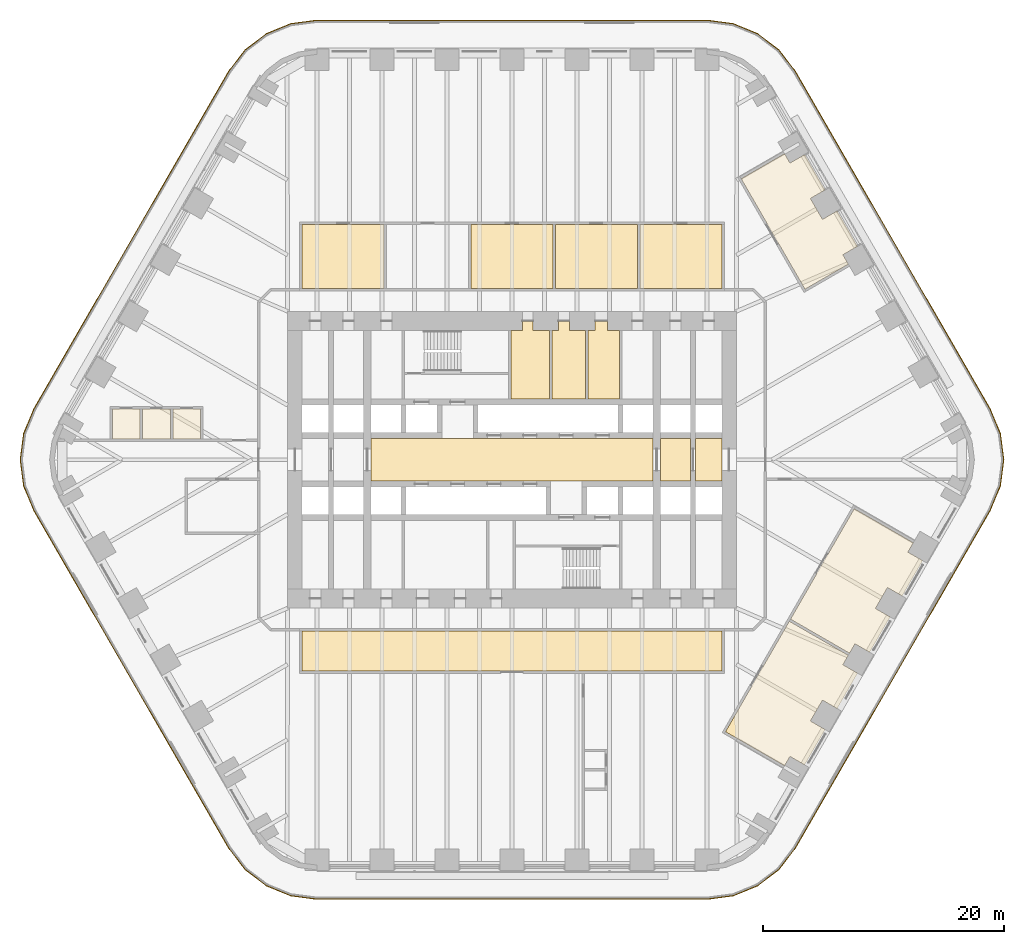
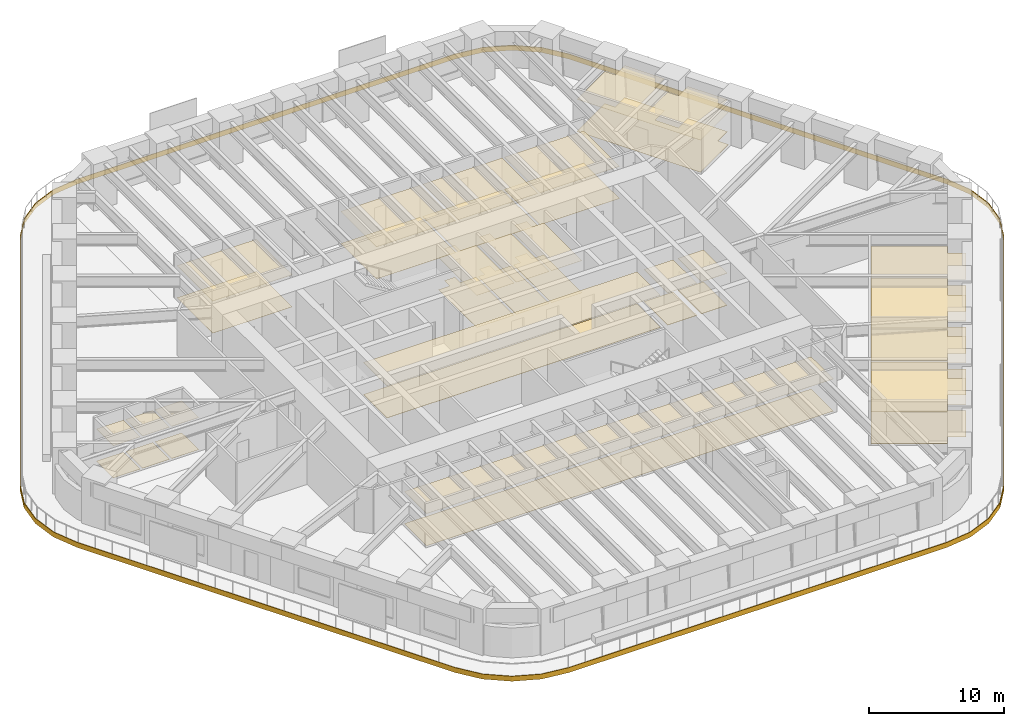
# One storey, part 22 of 23: 15 coverings.
"""IFC4 building model written with IfcOpenShell, lengths in metres."""

from ifc_helpers import new_model, si_unit, direction, frame, origin, place, context, subcontext, project, spatial, polyline, outline, extrude, material, layer, layer_set, type_object, element, save


model = new_model("IFC4")

# Units and contexts
model_context = context("Model", 3, precision=1e-05, world=origin(), true_north=direction((0.0, 1.0)))
body_context = subcontext(model_context, "Body", "Model", "MODEL_VIEW")
ifc_project = project(units=[si_unit("LENGTHUNIT", "METRE"), si_unit("AREAUNIT", "SQUARE_METRE"), si_unit("VOLUMEUNIT", "CUBIC_METRE"), si_unit("PLANEANGLEUNIT", "RADIAN"), si_unit("MASSUNIT", "GRAM", prefix="KILO")], contexts=[model_context])

# Site, building, storey
site_placement = place(None, origin())
site = spatial("IfcSite", under=ifc_project, at=site_placement, CompositionType="ELEMENT")
building_placement = place(site_placement, origin())
building = spatial("IfcBuilding", under=site, at=building_placement, Name="Tarfa Lantern Tower", CompositionType="ELEMENT")
storey_placement = place(building_placement, frame((0.0, 0.0, 52.89990234375)))
storey = spatial("IfcBuildingStorey", under=building, at=storey_placement, Name="L11", CompositionType="ELEMENT", Elevation=52.89990234375)

# Coverings
ifc_material_1 = material(Name="Mineral fibre acoustic tile on suspension grid", Category="finish")
ifc_layer_1 = layer(ifc_material_1, 0.02001953125)
ifc_layer_set_1 = layer_set([ifc_layer_1], Name="CL1 ACOUSTIC TILE CEILING 20")
covering_type_1 = type_object("IfcCoveringType", Name="CL1 ACOUSTIC TILE CEILING 20", PredefinedType="CEILING", material=ifc_layer_set_1)
covering_1_placement = place(storey_placement, frame((0.0, 0.0, 2.900146484375)))
element("IfcCovering", 1, at=covering_1_placement, inside=storey, type_object=covering_type_1, Name="Ceiling L11 CL1", PredefinedType="CEILING", context=body_context, shape_type="SweptSolid", body=[
    extrude(outline(polyline([(-17.39990234375, 19.5), (-10.60009765625, 19.5), (-10.60009765625, 14.199951171875), (-17.39990234375, 14.199951171875), (-17.39990234375, 19.5)])), origin(), (0.0, 0.0, 1.0), 0.02001953125),
    extrude(outline(polyline([(-3.39990234375, 19.5), (3.39990234375, 19.5), (3.39990234375, 14.199951171875), (-3.39990234375, 14.199951171875), (-3.39990234375, 19.5)])), origin(), (0.0, 0.0, 1.0), 0.02001953125),
    extrude(outline(polyline([(3.60009765625, 19.5), (10.39990234375, 19.5), (10.39990234375, 14.199951171875), (3.60009765625, 14.199951171875), (3.60009765625, 19.5)])), origin(), (0.0, 0.0, 1.0), 0.02001953125),
    extrude(outline(polyline([(10.60009765625, 19.5), (17.39990234375, 19.5), (17.39990234375, 14.199951171875), (10.60009765625, 14.199951171875), (10.60009765625, 19.5)])), origin(), (0.0, 0.0, 1.0), 0.02001953125),
    extrude(outline(polyline([(18.996826171875, 23.296630859375), (22.5908203125, 25.371826171875), (23.040771484375, 24.59228515625), (24.253173828125, 25.292236328125), (25.947509765625, 22.357666015625), (24.735107421875, 21.65771484375), (25.735107421875, 19.925537109375), (26.947509765625, 20.625732421875), (28.641845703125, 17.69091796875), (27.42919921875, 16.990966796875), (27.87939453125, 16.211669921875), (24.285400390625, 14.13671875), (18.996826171875, 23.296630859375)])), origin(), (0.0, 0.0, 1.0), 0.02001953125),
    extrude(outline(polyline([(22.986328125, -13.38671875), (27.87939453125, -16.211669921875), (27.42919921875, -16.990966796875), (28.641845703125, -17.69091796875), (26.947509765625, -20.625732421875), (25.735107421875, -19.925537109375), (24.735107421875, -21.65771484375), (25.947509765625, -22.357666015625), (24.253173828125, -25.292236328125), (23.040771484375, -24.59228515625), (22.5908203125, -25.371826171875), (17.69775390625, -22.546630859375), (22.986328125, -13.38671875)])), origin(), (0.0, 0.0, 1.0), 0.02001953125),
    extrude(outline(polyline([(28.375, -4.05322265625), (33.267822265625, -6.878173828125), (32.81787109375, -7.65771484375), (34.0302734375, -8.357666015625), (32.3359375, -11.292236328125), (31.12353515625, -10.59228515625), (30.12353515625, -12.324462890625), (31.3359375, -13.0244140625), (29.641845703125, -15.958984375), (28.42919921875, -15.259033203125), (27.979248046875, -16.038330078125), (23.086181640625, -13.21337890625), (28.375, -4.05322265625)])), origin(), (0.0, 0.0, 1.0), 0.02001953125),
    extrude(outline(polyline([(-28.118408203125, 4.199951171875), (-25.818359375, 4.199951171875), (-25.818359375, 1.699951171875), (-28.118408203125, 1.699951171875), (-28.118408203125, 4.199951171875)])), origin(), (0.0, 0.0, 1.0), 0.02001953125),
    extrude(outline(polyline([(-30.618408203125, 4.199951171875), (-28.318359375, 4.199951171875), (-28.318359375, 1.699951171875), (-30.618408203125, 1.699951171875), (-30.618408203125, 4.199951171875)])), origin(), (0.0, 0.0, 1.0), 0.02001953125),
    extrude(outline(polyline([(-33.118408203125, 4.199951171875), (-30.818359375, 4.199951171875), (-30.818359375, 1.699951171875), (-33.118408203125, 1.699951171875), (-33.118408203125, 4.199951171875)])), origin(), (0.0, 0.0, 1.0), 0.02001953125),
    extrude(outline(polyline([(-17.39990234375, -14.199951171875), (17.39990234375, -14.199951171875), (17.39990234375, -17.5), (-17.39990234375, -17.5), (-17.39990234375, -14.199951171875)])), origin(), (0.0, 0.0, 1.0), 0.02001953125),
])
ifc_material_2 = material(Name="Moisture-resistant plasterboard", Category="finish")
ifc_layer_2 = layer(ifc_material_2, 0.014892578125)
ifc_layer_set_2 = layer_set([ifc_layer_2], Name="CL2 MOISTURE-RESISTANT PLASTERBOARD CEILING 15")
covering_type_2 = type_object("IfcCoveringType", Name="CL2 MOISTURE-RESISTANT PLASTERBOARD CEILING 15", PredefinedType="CEILING", material=ifc_layer_set_2)
covering_2_placement = place(storey_placement, frame((0.0, 0.0, 2.900146484375)))
element("IfcCovering", 2, at=covering_2_placement, inside=storey, type_object=covering_type_2, Name="Ceiling L11-09", PredefinedType="CEILING", context=body_context, shape_type="SweptSolid", body=[
    extrude(outline(polyline([(0.85009765625, 10.699951171875), (-0.10009765625, 10.699951171875), (-0.10009765625, 5.050048828125), (3.10009765625, 5.050048828125), (3.10009765625, 10.699951171875), (1.75, 10.699951171875), (1.75, 11.5), (0.85009765625, 11.5), (0.85009765625, 10.699951171875)])), origin(), (0.0, 0.0, 1.0), 0.014892578125),
])
covering_3_placement = place(storey_placement, frame((0.0, 0.0, 2.900146484375)))
element("IfcCovering", 3, at=covering_3_placement, inside=storey, type_object=covering_type_2, Name="Ceiling L11-10", PredefinedType="CEILING", context=body_context, shape_type="SweptSolid", body=[
    extrude(outline(polyline([(3.300048828125, 5.050048828125), (6.10009765625, 5.050048828125), (6.10009765625, 10.699951171875), (4.75, 10.699951171875), (4.75, 11.5), (3.85009765625, 11.5), (3.85009765625, 10.699951171875), (3.300048828125, 10.699951171875), (3.300048828125, 5.050048828125)])), origin(), (0.0, 0.0, 1.0), 0.014892578125),
])
covering_4_placement = place(storey_placement, frame((0.0, 0.0, 2.900146484375)))
element("IfcCovering", 4, at=covering_4_placement, inside=storey, type_object=covering_type_2, Name="Ceiling L11-11", PredefinedType="CEILING", context=body_context, shape_type="SweptSolid", body=[
    extrude(outline(polyline([(6.300048828125, 5.050048828125), (8.89990234375, 5.050048828125), (8.89990234375, 10.699951171875), (7.89990234375, 10.699951171875), (7.89990234375, 11.5), (6.89990234375, 11.5), (6.89990234375, 10.699951171875), (6.300048828125, 10.699951171875), (6.300048828125, 5.050048828125)])), origin(), (0.0, 0.0, 1.0), 0.014892578125),
])
ifc_material_3 = material(Name="Powder-coated aluminium panel", Category="aluminium")
ifc_layer_3 = layer(ifc_material_3, 0.030029296875)
ifc_layer_set_3 = layer_set([ifc_layer_3], Name="CL3 METAL PANEL CEILING 30")
covering_type_3 = type_object("IfcCoveringType", Name="CL3 METAL PANEL CEILING 30", PredefinedType="CEILING", material=ifc_layer_set_3)
covering_5_placement = place(storey_placement, frame((0.0, 0.0, 2.900146484375)))
element("IfcCovering", 5, at=covering_5_placement, inside=storey, type_object=covering_type_3, Name="Ceiling L11-03", PredefinedType="CEILING", context=body_context, shape_type="SweptSolid", body=[
    extrude(outline(polyline([(-11.699951171875, -1.75), (11.699951171875, -1.75), (11.699951171875, 1.75), (-11.699951171875, 1.75), (-11.699951171875, -1.75)])), origin(), (0.0, 0.0, 1.0), 0.030029296875),
])
covering_6_placement = place(storey_placement, frame((0.0, 0.0, 2.900146484375)))
element("IfcCovering", 6, at=covering_6_placement, inside=storey, type_object=covering_type_3, Name="Ceiling L11-04", PredefinedType="CEILING", context=body_context, shape_type="SweptSolid", body=[
    extrude(outline(polyline([(12.300048828125, -1.75), (14.800048828125, -1.75), (14.800048828125, 1.75), (12.300048828125, 1.75), (12.300048828125, -1.75)])), origin(), (0.0, 0.0, 1.0), 0.030029296875),
])
covering_7_placement = place(storey_placement, frame((0.0, 0.0, 2.900146484375)))
element("IfcCovering", 7, at=covering_7_placement, inside=storey, type_object=covering_type_3, Name="Ceiling L11-05", PredefinedType="CEILING", context=body_context, shape_type="SweptSolid", body=[
    extrude(outline(polyline([(15.199951171875, -1.75), (17.39990234375, -1.75), (17.39990234375, 1.75), (15.199951171875, 1.75), (15.199951171875, -1.75)])), origin(), (0.0, 0.0, 1.0), 0.030029296875),
])
ifc_material_4 = material(Name="Nylon carpet tile", Category="finish")
ifc_layer_4 = layer(ifc_material_4, 0.010009765625)
ifc_layer_set_4 = layer_set([ifc_layer_4], Name="FL1 CARPET TILE 10")
covering_type_4 = type_object("IfcCoveringType", Name="FL1 CARPET TILE 10", PredefinedType="FLOORING", material=ifc_layer_set_4)
covering_8_placement = place(storey_placement, origin())
element("IfcCovering", 8, at=covering_8_placement, inside=storey, type_object=covering_type_4, Name="Floor finish L11 FL1", PredefinedType="FLOORING", context=body_context, shape_type="SweptSolid", body=[
    extrude(outline(polyline([(-17.39990234375, 19.5), (-10.60009765625, 19.5), (-10.60009765625, 14.199951171875), (-17.39990234375, 14.199951171875), (-17.39990234375, 19.5)])), origin(), (0.0, 0.0, 1.0), 0.010009765625),
    extrude(outline(polyline([(-3.39990234375, 19.5), (3.39990234375, 19.5), (3.39990234375, 14.199951171875), (-3.39990234375, 14.199951171875), (-3.39990234375, 19.5)])), origin(), (0.0, 0.0, 1.0), 0.010009765625),
    extrude(outline(polyline([(3.60009765625, 19.5), (10.39990234375, 19.5), (10.39990234375, 14.199951171875), (3.60009765625, 14.199951171875), (3.60009765625, 19.5)])), origin(), (0.0, 0.0, 1.0), 0.010009765625),
    extrude(outline(polyline([(10.60009765625, 19.5), (17.39990234375, 19.5), (17.39990234375, 14.199951171875), (10.60009765625, 14.199951171875), (10.60009765625, 19.5)])), origin(), (0.0, 0.0, 1.0), 0.010009765625),
    extrude(outline(polyline([(18.996826171875, 23.296630859375), (22.5908203125, 25.371826171875), (23.040771484375, 24.59228515625), (24.253173828125, 25.292236328125), (25.947509765625, 22.357666015625), (24.735107421875, 21.65771484375), (25.735107421875, 19.925537109375), (26.947509765625, 20.625732421875), (28.641845703125, 17.69091796875), (27.42919921875, 16.990966796875), (27.87939453125, 16.211669921875), (24.285400390625, 14.13671875), (18.996826171875, 23.296630859375)])), origin(), (0.0, 0.0, 1.0), 0.010009765625),
    extrude(outline(polyline([(22.986328125, -13.38671875), (27.87939453125, -16.211669921875), (27.42919921875, -16.990966796875), (28.641845703125, -17.69091796875), (26.947509765625, -20.625732421875), (25.735107421875, -19.925537109375), (24.735107421875, -21.65771484375), (25.947509765625, -22.357666015625), (24.253173828125, -25.292236328125), (23.040771484375, -24.59228515625), (22.5908203125, -25.371826171875), (17.69775390625, -22.546630859375), (22.986328125, -13.38671875)])), origin(), (0.0, 0.0, 1.0), 0.010009765625),
    extrude(outline(polyline([(28.375, -4.05322265625), (33.267822265625, -6.878173828125), (32.81787109375, -7.65771484375), (34.0302734375, -8.357666015625), (32.3359375, -11.292236328125), (31.12353515625, -10.59228515625), (30.12353515625, -12.324462890625), (31.3359375, -13.0244140625), (29.641845703125, -15.958984375), (28.42919921875, -15.259033203125), (27.979248046875, -16.038330078125), (23.086181640625, -13.21337890625), (28.375, -4.05322265625)])), origin(), (0.0, 0.0, 1.0), 0.010009765625),
    extrude(outline(polyline([(-28.118408203125, 4.199951171875), (-25.818359375, 4.199951171875), (-25.818359375, 1.699951171875), (-28.118408203125, 1.699951171875), (-28.118408203125, 4.199951171875)])), origin(), (0.0, 0.0, 1.0), 0.010009765625),
    extrude(outline(polyline([(-30.618408203125, 4.199951171875), (-28.318359375, 4.199951171875), (-28.318359375, 1.699951171875), (-30.618408203125, 1.699951171875), (-30.618408203125, 4.199951171875)])), origin(), (0.0, 0.0, 1.0), 0.010009765625),
    extrude(outline(polyline([(-33.118408203125, 4.199951171875), (-30.818359375, 4.199951171875), (-30.818359375, 1.699951171875), (-33.118408203125, 1.699951171875), (-33.118408203125, 4.199951171875)])), origin(), (0.0, 0.0, 1.0), 0.010009765625),
    extrude(outline(polyline([(-17.39990234375, -14.199951171875), (17.39990234375, -14.199951171875), (17.39990234375, -17.5), (-17.39990234375, -17.5), (-17.39990234375, -14.199951171875)])), origin(), (0.0, 0.0, 1.0), 0.010009765625),
])
ifc_material_5 = material(Name="Honed limestone flooring", Category="masonry")
ifc_layer_5 = layer(ifc_material_5, 0.030029296875)
ifc_layer_set_5 = layer_set([ifc_layer_5], Name="FL2 STONE FLOORING 30")
covering_type_5 = type_object("IfcCoveringType", Name="FL2 STONE FLOORING 30", PredefinedType="FLOORING", material=ifc_layer_set_5)
covering_9_placement = place(storey_placement, origin())
element("IfcCovering", 9, at=covering_9_placement, inside=storey, type_object=covering_type_5, Name="Floor finish L11-03", PredefinedType="FLOORING", context=body_context, shape_type="SweptSolid", body=[
    extrude(outline(polyline([(-11.699951171875, -1.75), (11.699951171875, -1.75), (11.699951171875, 1.75), (-11.699951171875, 1.75), (-11.699951171875, -1.75)])), origin(), (0.0, 0.0, 1.0), 0.030029296875),
])
covering_10_placement = place(storey_placement, origin())
element("IfcCovering", 10, at=covering_10_placement, inside=storey, type_object=covering_type_5, Name="Floor finish L11-04", PredefinedType="FLOORING", context=body_context, shape_type="SweptSolid", body=[
    extrude(outline(polyline([(12.300048828125, -1.75), (14.800048828125, -1.75), (14.800048828125, 1.75), (12.300048828125, 1.75), (12.300048828125, -1.75)])), origin(), (0.0, 0.0, 1.0), 0.030029296875),
])
covering_11_placement = place(storey_placement, origin())
element("IfcCovering", 11, at=covering_11_placement, inside=storey, type_object=covering_type_5, Name="Floor finish L11-05", PredefinedType="FLOORING", context=body_context, shape_type="SweptSolid", body=[
    extrude(outline(polyline([(15.199951171875, -1.75), (17.39990234375, -1.75), (17.39990234375, 1.75), (15.199951171875, 1.75), (15.199951171875, -1.75)])), origin(), (0.0, 0.0, 1.0), 0.030029296875),
])
ifc_material_6 = material(Name="Porcelain floor tile", Category="finish")
ifc_layer_6 = layer(ifc_material_6, 0.011962890625)
ifc_layer_set_6 = layer_set([ifc_layer_6], Name="FL3 CERAMIC TILE 12")
covering_type_6 = type_object("IfcCoveringType", Name="FL3 CERAMIC TILE 12", PredefinedType="FLOORING", material=ifc_layer_set_6)
covering_12_placement = place(storey_placement, origin())
element("IfcCovering", 12, at=covering_12_placement, inside=storey, type_object=covering_type_6, Name="Floor finish L11-09", PredefinedType="FLOORING", context=body_context, shape_type="SweptSolid", body=[
    extrude(outline(polyline([(0.85009765625, 10.699951171875), (-0.10009765625, 10.699951171875), (-0.10009765625, 5.050048828125), (3.10009765625, 5.050048828125), (3.10009765625, 10.699951171875), (1.75, 10.699951171875), (1.75, 11.5), (0.85009765625, 11.5), (0.85009765625, 10.699951171875)])), origin(), (0.0, 0.0, 1.0), 0.01220703125),
])
covering_13_placement = place(storey_placement, origin())
element("IfcCovering", 13, at=covering_13_placement, inside=storey, type_object=covering_type_6, Name="Floor finish L11-10", PredefinedType="FLOORING", context=body_context, shape_type="SweptSolid", body=[
    extrude(outline(polyline([(3.300048828125, 5.050048828125), (6.10009765625, 5.050048828125), (6.10009765625, 10.699951171875), (4.75, 10.699951171875), (4.75, 11.5), (3.85009765625, 11.5), (3.85009765625, 10.699951171875), (3.300048828125, 10.699951171875), (3.300048828125, 5.050048828125)])), origin(), (0.0, 0.0, 1.0), 0.01220703125),
])
covering_14_placement = place(storey_placement, origin())
element("IfcCovering", 14, at=covering_14_placement, inside=storey, type_object=covering_type_6, Name="Floor finish L11-11", PredefinedType="FLOORING", context=body_context, shape_type="SweptSolid", body=[
    extrude(outline(polyline([(6.300048828125, 5.050048828125), (8.89990234375, 5.050048828125), (8.89990234375, 10.699951171875), (7.89990234375, 10.699951171875), (7.89990234375, 11.5), (6.89990234375, 11.5), (6.89990234375, 10.699951171875), (6.300048828125, 10.699951171875), (6.300048828125, 5.050048828125)])), origin(), (0.0, 0.0, 1.0), 0.01220703125),
])
ifc_material_7 = material(Name="Limestone cladding on brackets", Category="masonry")
ifc_layer_7 = layer(ifc_material_7, 0.050048828125)
ifc_layer_set_7 = layer_set([ifc_layer_7], Name="SB1 STONE BAND CLADDING 50")
covering_type_7 = type_object("IfcCoveringType", Name="SB1 STONE BAND CLADDING 50", PredefinedType="CLADDING", material=ifc_layer_set_7)
covering_15_placement = place(storey_placement, frame((0.0, 0.0, -0.39990234375)))
element("IfcCovering", 15, at=covering_15_placement, inside=storey, type_object=covering_type_7, Name="Stone band", PredefinedType="CLADDING", context=body_context, shape_type="SweptSolid", body=[
    extrude(outline(polyline([(39.6494140625, 4.22509765625), (23.483642578125, 32.22509765625), (22.140869140625, 33.97509765625), (20.390869140625, 35.31787109375), (18.352783203125, 36.162109375), (16.165771484375, 36.449951171875), (-16.165771484375, 36.449951171875), (-18.352783203125, 36.162109375), (-20.390869140625, 35.31787109375), (-22.140869140625, 33.97509765625), (-23.483642578125, 32.22509765625), (-39.6494140625, 4.22509765625), (-40.49365234375, 2.18701171875), (-40.781494140625, 0.0), (-40.49365234375, -2.18701171875), (-39.6494140625, -4.22509765625), (-23.483642578125, -32.22509765625), (-22.140869140625, -33.97509765625), (-20.390869140625, -35.31787109375), (-18.352783203125, -36.162109375), (-16.165771484375, -36.449951171875), (16.165771484375, -36.449951171875), (18.352783203125, -36.162109375), (20.390869140625, -35.31787109375), (22.140869140625, -33.97509765625), (23.483642578125, -32.22509765625), (39.6494140625, -4.22509765625), (40.49365234375, -2.18701171875), (40.781494140625, 0.0), (40.49365234375, 2.18701171875), (39.6494140625, 4.22509765625)]), holes=[polyline([(39.606201171875, 4.199951171875), (23.4404296875, 32.199951171875), (22.10546875, 33.939697265625), (20.36572265625, 35.274658203125), (18.33984375, 36.11376953125), (16.165771484375, 36.39990234375), (-16.165771484375, 36.39990234375), (-18.33984375, 36.11376953125), (-20.36572265625, 35.274658203125), (-22.10546875, 33.939697265625), (-23.4404296875, 32.199951171875), (-39.606201171875, 4.199951171875), (-40.4453125, 2.174072265625), (-40.731689453125, 0.0), (-40.4453125, -2.174072265625), (-39.606201171875, -4.199951171875), (-23.4404296875, -32.199951171875), (-22.10546875, -33.939697265625), (-20.36572265625, -35.274658203125), (-18.33984375, -36.11376953125), (-16.165771484375, -36.39990234375), (16.165771484375, -36.39990234375), (18.33984375, -36.11376953125), (20.36572265625, -35.274658203125), (22.10546875, -33.939697265625), (23.4404296875, -32.199951171875), (39.606201171875, -4.199951171875), (40.4453125, -2.174072265625), (40.731689453125, 0.0), (40.4453125, 2.174072265625), (39.606201171875, 4.199951171875)])]), origin(), (0.0, 0.0, 1.0), 0.449951171875),
])

save(model, "model.ifc")
